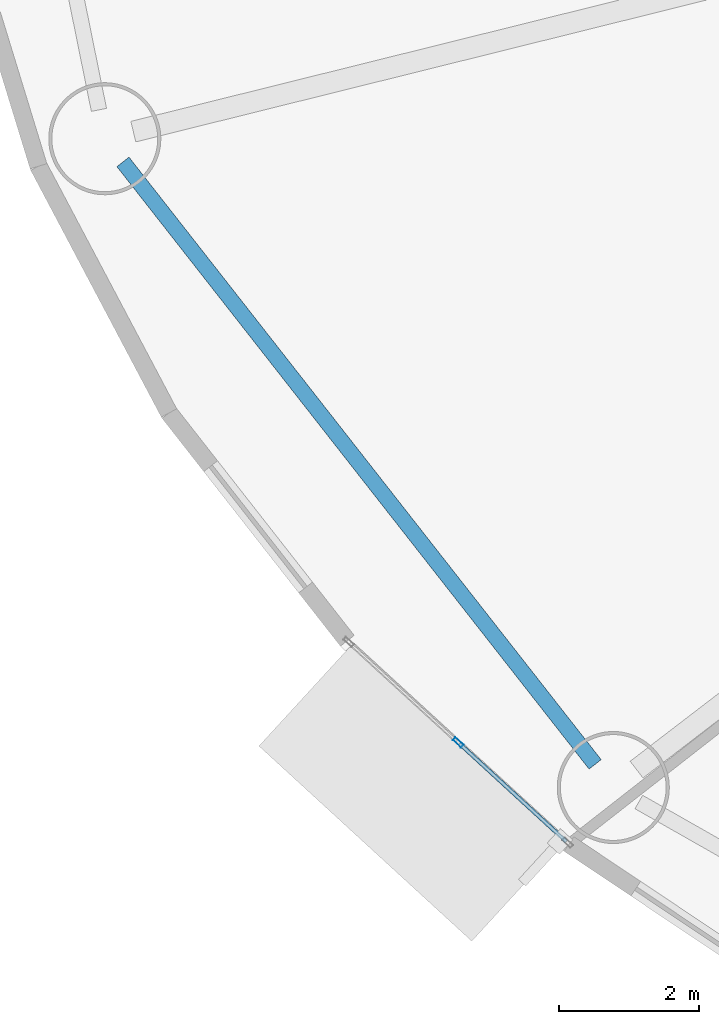
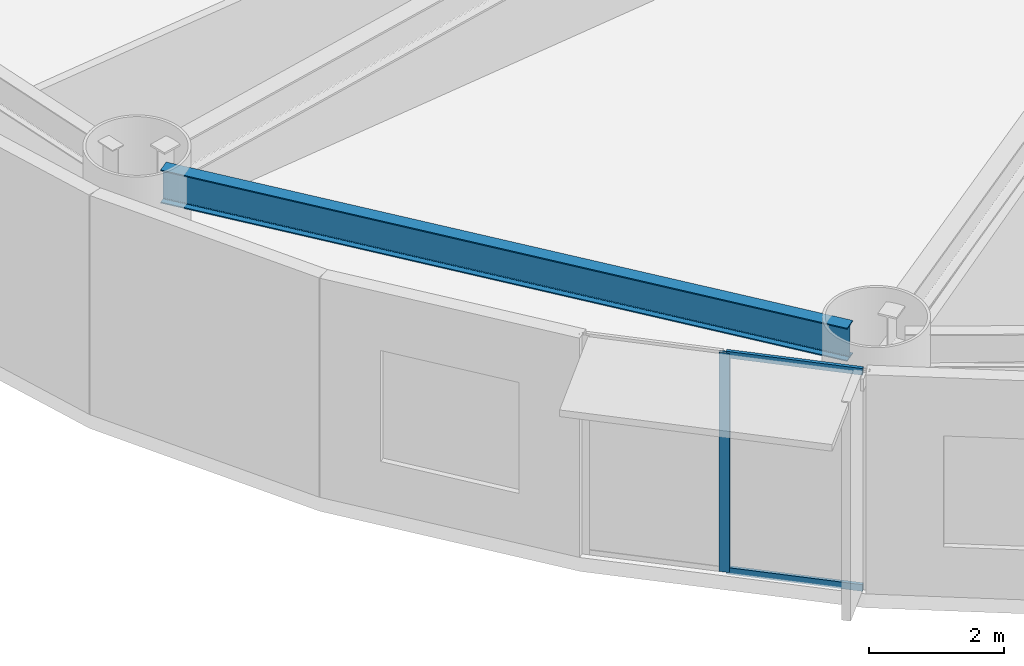
# One storey, part 5 of 32: 3 members, 1 beam, 1 element without a shape of its own.
"""IFC4 building model written with IfcOpenShell, lengths in metres."""

from ifc_helpers import new_model, si_unit, direction, frame, origin, origin_2d, place, context, subcontext, project, spatial, hollow_rectangle, i_section, extrude, source, transform, mapped, material, layer, layer_set, material_profile, profile_set, type_object, element, aggregate, save


model = new_model("IFC4")

# Units and contexts
model_context = context("Model", 3, precision=1e-05, world=origin(), true_north=direction((0.0, 1.0)))
body_context = subcontext(model_context, "Body", "Model", "MODEL_VIEW")
ifc_project = project(units=[si_unit("LENGTHUNIT", "METRE"), si_unit("AREAUNIT", "SQUARE_METRE"), si_unit("VOLUMEUNIT", "CUBIC_METRE"), si_unit("PLANEANGLEUNIT", "RADIAN"), si_unit("MASSUNIT", "GRAM", prefix="KILO")], contexts=[model_context])

# Site, building, storey
site_placement = place(None, origin())
site = spatial("IfcSite", under=ifc_project, at=site_placement, CompositionType="ELEMENT")
building_placement = place(site_placement, origin())
building = spatial("IfcBuilding", under=site, at=building_placement, Name="Linh Dai School and Residence Tower", CompositionType="ELEMENT")
storey_placement = place(building_placement, frame((0.0, 0.0, 40.800048828125)))
storey = spatial("IfcBuildingStorey", under=building, at=storey_placement, Name="L09", CompositionType="ELEMENT", Elevation=40.800048828125)

# Beam
ifc_material_1 = material(Name="Structural Steel S355JR", Category="steel")
ifc_material_profile_1 = material_profile(ifc_material_1, i_section(OverallWidth=0.219970703125, OverallDepth=0.60009765625, WebThickness=0.011962890625, FlangeThickness=0.01904296875, FilletRadius=0.02392578125, at=origin_2d()), Name="IPE 600")
ifc_profile_set_1 = profile_set([ifc_material_profile_1], Name="Structural Steel S355JR")
beam_type = type_object("IfcBeamType", Name="BM-RB60", PredefinedType="BEAM", material=ifc_profile_set_1)
beam_placement = place(storey_placement, frame((7.648193359375, 19.560791015625, 3.64990234375), z_axis=(0.616878670407, -0.787058260866, 0.0), x_axis=(0.787058260866, 0.616878670407, 0.0)))
element("IfcBeam", 1, at=beam_placement, inside=storey, type_object=beam_type, Name="L09 Perimeter Elliptical Ring Beam 10", PredefinedType="BEAM", context=body_context, shape_type="SweptSolid", body=[
    extrude(i_section(OverallWidth=0.219970703125, OverallDepth=0.60009765625, WebThickness=0.011962890625, FlangeThickness=0.01904296875, FilletRadius=0.02392578125, at=origin_2d()), origin(), (0.0, 0.0, 1.0), 10.926025390625),
])

# Curtain wall, members
ifc_material_2 = material(Name="Aluminium Anodised Curtain Wall", Category="aluminium")
ifc_layer = layer(ifc_material_2, 0.159912109375)
ifc_layer_set = layer_set([ifc_layer], Name="Aluminium Anodised Curtain Wall")
curtain_wall_type = type_object("IfcCurtainWallType", Name="CW-SYS-3", PredefinedType="USERDEFINED", material=ifc_layer_set)
curtain_wall_placement = place(storey_placement, origin())
curtain_wall = element("IfcCurtainWall", 2, at=curtain_wall_placement, inside=storey, type_object=curtain_wall_type, Name="L09 CW3 Curtain Wall 25", ObjectType="RIBBON CURTAIN WALL", PredefinedType="USERDEFINED")
ifc_material_3 = material(Name="Aluminium Alloy 6063-T6", Category="aluminium")
ifc_material_profile_2 = material_profile(ifc_material_3, hollow_rectangle(XDim=0.054931640625, YDim=0.1201171875, WallThickness=0.00390625, at=origin_2d()), Name="RHS 120x55x4")
ifc_profile_set_2 = profile_set([ifc_material_profile_2], Name="Aluminium Alloy 6063-T6")
member_type_1 = type_object("IfcMemberType", Name="CW-SYS-3-TRN", PredefinedType="USERDEFINED", material=ifc_profile_set_2)
shared_shape_1 = source(origin(), body_context, "Body", "SweptSolid", [
    extrude(hollow_rectangle(XDim=0.054931640625, YDim=0.1201171875, WallThickness=0.00390625, at=origin_2d()), origin(), (0.0, 0.0, 1.0), 2.064453125),
])
member_1_placement = place(storey_placement, frame((13.974853515625, 9.861083984375, 0.02734375), z_axis=(-0.737129594686, 0.675751404466, 0.0), x_axis=(-0.675751404466, -0.737129594686, 0.0)))
member_1 = element("IfcMember", 3, at=member_1_placement, type_object=member_type_1, Name="CW3 transom 1.1", ObjectType="TRANSOM", PredefinedType="USERDEFINED", context=body_context, shape_type="MappedRepresentation", body=[
    mapped(shared_shape_1, transform((0.0, 0.0, 0.0), x_axis=(1.0, 0.0, 0.0), y_axis=(0.0, 1.0, 0.0), z_axis=(0.0, 0.0, 1.0), scale=1.0)),
])
member_2_placement = place(storey_placement, frame((13.974853515625, 9.861083984375, 3.92236328125), z_axis=(-0.737129594686, 0.675751404466, 0.0), x_axis=(-0.675751404466, -0.737129594686, 0.0)))
member_2 = element("IfcMember", 4, at=member_2_placement, type_object=member_type_1, Name="CW3 transom 1.2", ObjectType="TRANSOM", PredefinedType="USERDEFINED", context=body_context, shape_type="MappedRepresentation", body=[
    mapped(shared_shape_1, transform((0.0, 0.0, 0.0), x_axis=(1.0, 0.0, 0.0), y_axis=(0.0, 1.0, 0.0), z_axis=(0.0, 0.0, 1.0), scale=1.0)),
])
ifc_material_profile_3 = material_profile(ifc_material_3, hollow_rectangle(XDim=0.054931640625, YDim=0.159912109375, WallThickness=0.00390625, at=origin_2d()), Name="RHS 160x55x4")
ifc_profile_set_3 = profile_set([ifc_material_profile_3], Name="Aluminium Alloy 6063-T6")
member_type_2 = type_object("IfcMemberType", Name="CW-SYS-3-MUL", PredefinedType="MULLION", material=ifc_profile_set_3)
shared_shape_2 = source(origin(), body_context, "Body", "SweptSolid", [
    extrude(hollow_rectangle(XDim=0.054931640625, YDim=0.159912109375, WallThickness=0.00390625, at=origin_2d()), origin(), (0.0, 0.0, 1.0), 3.949951171875),
])
member_3_placement = place(storey_placement, frame((12.432861328125, 11.274658203125, 0.0), z_axis=(0.0, 0.0, 1.0), x_axis=(-0.675769237268, -0.737113246362, 0.0)))
member_3 = element("IfcMember", 5, at=member_3_placement, type_object=member_type_2, Name="CW3 mullion 2", PredefinedType="MULLION", context=body_context, shape_type="MappedRepresentation", body=[
    mapped(shared_shape_2, transform((0.0, 0.0, 0.0), x_axis=(1.0, 0.0, 0.0), y_axis=(0.0, 1.0, 0.0), z_axis=(0.0, 0.0, 1.0), scale=1.0)),
])
aggregate(curtain_wall, [member_3, member_1, member_2])

save(model, "model.ifc")
